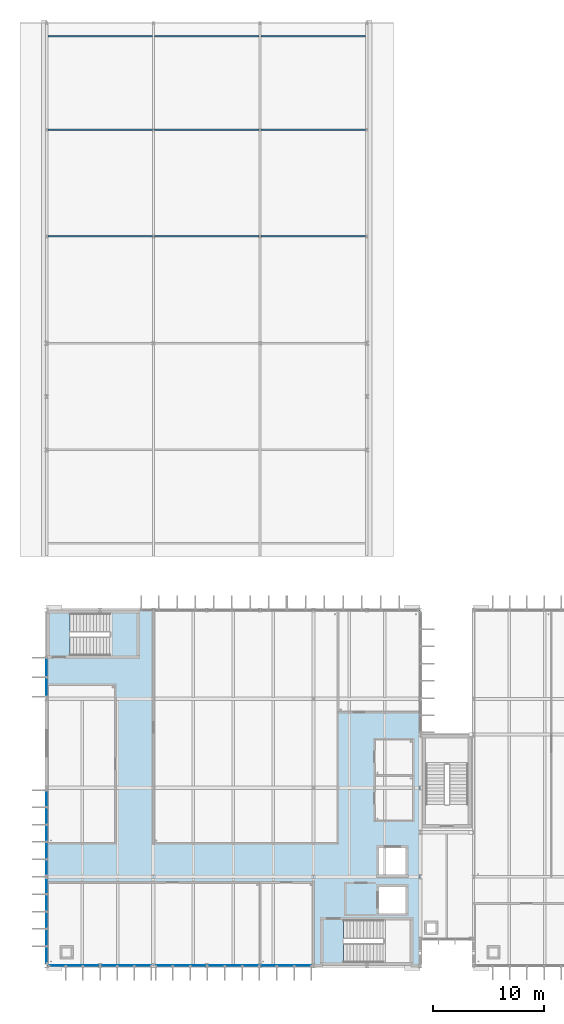
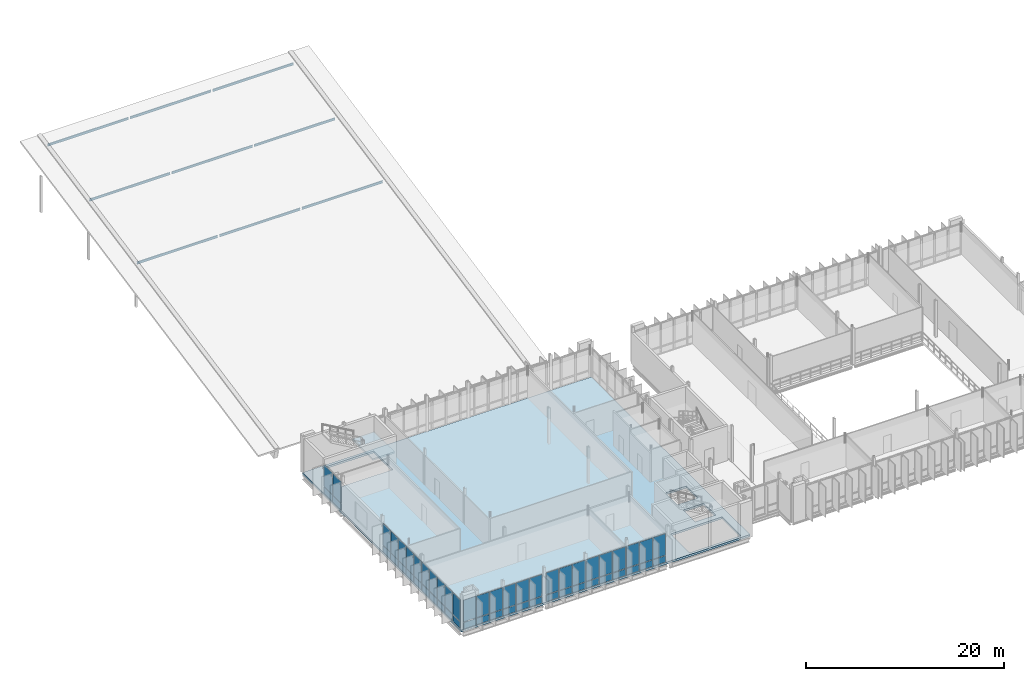
# One storey, part 27 of 59: 54 plates, 9 members, 2 slabs, 5 elements without a shape of their own.
"""IFC4 building model written with IfcOpenShell, lengths in metres."""

from ifc_helpers import new_model, si_unit, direction, frame, origin, origin_2d, place, context, subcontext, project, spatial, polyline, rectangle, i_section, outline, extrude, material, layer, layer_set, material_profile, profile_set, type_object, element, aggregate, save


model = new_model("IFC4")

# Units and contexts
model_context = context("Model", 3, precision=1e-05, world=origin(), true_north=direction((0.0, 1.0)))
body_context = subcontext(model_context, "Body", "Model", "MODEL_VIEW")
ifc_project = project(units=[si_unit("LENGTHUNIT", "METRE"), si_unit("AREAUNIT", "SQUARE_METRE"), si_unit("VOLUMEUNIT", "CUBIC_METRE"), si_unit("PLANEANGLEUNIT", "RADIAN"), si_unit("MASSUNIT", "GRAM", prefix="KILO")], contexts=[model_context])

# Site, building, storey
site_placement = place(None, origin())
site = spatial("IfcSite", under=ifc_project, at=site_placement, CompositionType="ELEMENT")
building_placement = place(site_placement, origin())
building = spatial("IfcBuilding", under=site, at=building_placement, Name="Dunescarp Central Library", CompositionType="ELEMENT")
storey_placement = place(building_placement, frame((0.0, 0.0, 18.60009765625)))
storey = spatial("IfcBuildingStorey", under=building, at=storey_placement, Name="L04", CompositionType="ELEMENT", Elevation=18.60009765625)

# Members
ifc_material_1 = material(Name="Steel S355JR", Category="steel")
ifc_material_profile = material_profile(ifc_material_1, i_section(OverallWidth=0.135009765625, OverallDepth=0.27001953125, WebThickness=0.006591796875, FlangeThickness=0.01025390625, at=origin_2d()), Name="IPE 270")
ifc_profile_set = profile_set([ifc_material_profile], Name="Steel S355JR")
member_type = type_object("IfcMemberType", Name="STR-PR-IPE270", PredefinedType="PURLIN", material=ifc_profile_set)
for number, where, z_axis, x_axis, name in (
    (1, (0.096923828125, 70.39990234375, 5.366943359375), (1.0, 0.0, 0.0), (0.0, 1.0, 0.0), "V4 roof purlin PR-V4-043"),
    (2, (9.697021484375, 70.39990234375, 5.366943359375), (1.0, 0.0, 0.0), (0.0, 1.0, 0.0), "V4 roof purlin PR-V4-044"),
):
    element("IfcMember", number, at=place(storey_placement, frame(where, z_axis=z_axis, x_axis=x_axis)), inside=storey, type_object=member_type, Name=name, PredefinedType="PURLIN", context=body_context, shape_type="SweptSolid", body=[
        extrude(i_section(OverallWidth=0.135009765625, OverallDepth=0.27001953125, WebThickness=0.006591796875, FlangeThickness=0.01025390625, at=origin_2d()), origin(), (0.0, 0.0, 1.0), 9.406005859375),
    ])
member_1_placement = place(storey_placement, frame((19.297119140625, 70.39990234375, 5.366943359375), z_axis=(1.0, 0.0, 0.0), x_axis=(0.0, 1.0, 0.0)))
element("IfcMember", 3, at=member_1_placement, inside=storey, type_object=member_type, Name="V4 roof purlin PR-V4-045", PredefinedType="PURLIN", context=body_context, shape_type="SweptSolid", body=[
    extrude(i_section(OverallWidth=0.135009765625, OverallDepth=0.27001953125, WebThickness=0.006591796875, FlangeThickness=0.01025390625, at=origin_2d()), origin(), (0.0, 0.0, 1.0), 9.40576171875),
])
for number, where, z_axis, x_axis, name in (
    (4, (0.096923828125, 80.0, 7.286865234375), (1.0, 0.0, 0.0), (0.0, 1.0, 0.0), "V4 roof purlin PR-V4-046"),
    (5, (9.697021484375, 80.0, 7.286865234375), (1.0, 0.0, 0.0), (0.0, 1.0, 0.0), "V4 roof purlin PR-V4-047"),
):
    element("IfcMember", number, at=place(storey_placement, frame(where, z_axis=z_axis, x_axis=x_axis)), inside=storey, type_object=member_type, Name=name, PredefinedType="PURLIN", context=body_context, shape_type="SweptSolid", body=[
        extrude(i_section(OverallWidth=0.135009765625, OverallDepth=0.27001953125, WebThickness=0.006591796875, FlangeThickness=0.01025390625, at=origin_2d()), origin(), (0.0, 0.0, 1.0), 9.406005859375),
    ])
member_2_placement = place(storey_placement, frame((19.297119140625, 80.0, 7.286865234375), z_axis=(1.0, 0.0, 0.0), x_axis=(0.0, 1.0, 0.0)))
element("IfcMember", 6, at=member_2_placement, inside=storey, type_object=member_type, Name="V4 roof purlin PR-V4-048", PredefinedType="PURLIN", context=body_context, shape_type="SweptSolid", body=[
    extrude(i_section(OverallWidth=0.135009765625, OverallDepth=0.27001953125, WebThickness=0.006591796875, FlangeThickness=0.01025390625, at=origin_2d()), origin(), (0.0, 0.0, 1.0), 9.40576171875),
])
for number, where, z_axis, x_axis, name in (
    (7, (0.096923828125, 88.39990234375, 8.966796875), (1.0, 0.0, 0.0), (0.0, 1.0, 0.0), "V4 roof purlin PR-V4-049"),
    (8, (9.697021484375, 88.39990234375, 8.966796875), (1.0, 0.0, 0.0), (0.0, 1.0, 0.0), "V4 roof purlin PR-V4-050"),
):
    element("IfcMember", number, at=place(storey_placement, frame(where, z_axis=z_axis, x_axis=x_axis)), inside=storey, type_object=member_type, Name=name, PredefinedType="PURLIN", context=body_context, shape_type="SweptSolid", body=[
        extrude(i_section(OverallWidth=0.135009765625, OverallDepth=0.27001953125, WebThickness=0.006591796875, FlangeThickness=0.01025390625, at=origin_2d()), origin(), (0.0, 0.0, 1.0), 9.406005859375),
    ])
member_3_placement = place(storey_placement, frame((19.297119140625, 88.39990234375, 8.966796875), z_axis=(1.0, 0.0, 0.0), x_axis=(0.0, 1.0, 0.0)))
element("IfcMember", 9, at=member_3_placement, inside=storey, type_object=member_type, Name="V4 roof purlin PR-V4-051", PredefinedType="PURLIN", context=body_context, shape_type="SweptSolid", body=[
    extrude(i_section(OverallWidth=0.135009765625, OverallDepth=0.27001953125, WebThickness=0.006591796875, FlangeThickness=0.01025390625, at=origin_2d()), origin(), (0.0, 0.0, 1.0), 9.40576171875),
])

# Curtain wall, plates
ifc_material_2 = material(Name="Marine-grade anodised aluminium 6063-T6", Category="aluminium")
curtain_wall_type = type_object("IfcCurtainWallType", Name="ARC-CW-STICK", PredefinedType="NOTDEFINED", material=ifc_material_2)
curtain_wall_1_placement = place(storey_placement, origin())
curtain_wall_1 = element("IfcCurtainWall", 10, at=curtain_wall_1_placement, inside=storey, type_object=curtain_wall_type, Name="L04 curtain wall CW-V1-024", PredefinedType="NOTDEFINED")
ifc_material_3 = material(Name="Solar-control laminated double glazing", Category="glass")
ifc_layer_1 = layer(ifc_material_3, 0.028076171875)
ifc_layer_set_1 = layer_set([ifc_layer_1], Name="Solar-control laminated double glazing")
plate_type_1 = type_object("IfcPlateType", Name="ARC-PLT-GLZ28", PredefinedType="CURTAIN_PANEL", material=ifc_layer_set_1)
plate_1_placement = place(storey_placement, frame((8.63427734375, 4.800048828125, 0.93994140625), z_axis=(0.0, 0.0, 1.0), x_axis=(-1.0, 0.0, 0.0)))
plate_1 = element("IfcPlate", 11, at=plate_1_placement, type_object=plate_type_1, Name="CW-V1-024 panel 1.2", PredefinedType="CURTAIN_PANEL", context=body_context, shape_type="SweptSolid", body=[
    extrude(rectangle(XDim=1.421630859375, YDim=0.028076171875, at=origin_2d()), origin(), (0.0, 0.0, 1.0), 2.64501953125),
])
plate_2_placement = place(storey_placement, frame((7.112548828125, 4.800048828125, 0.93994140625), z_axis=(0.0, 0.0, 1.0), x_axis=(-1.0, 0.0, 0.0)))
plate_2 = element("IfcPlate", 12, at=plate_2_placement, type_object=plate_type_1, Name="CW-V1-024 panel 2.2", PredefinedType="CURTAIN_PANEL", context=body_context, shape_type="SweptSolid", body=[
    extrude(rectangle(XDim=1.461669921875, YDim=0.028076171875, at=origin_2d()), origin(), (0.0, 0.0, 1.0), 2.64501953125),
])
plate_3_placement = place(storey_placement, frame((5.57080078125, 4.800048828125, 0.93994140625), z_axis=(0.0, 0.0, 1.0), x_axis=(-1.0, 0.0, 0.0)))
plate_3 = element("IfcPlate", 13, at=plate_3_placement, type_object=plate_type_1, Name="CW-V1-024 panel 3.2", PredefinedType="CURTAIN_PANEL", context=body_context, shape_type="SweptSolid", body=[
    extrude(rectangle(XDim=1.461669921875, YDim=0.028076171875, at=origin_2d()), origin(), (0.0, 0.0, 1.0), 2.64501953125),
])
plate_4_placement = place(storey_placement, frame((4.029052734375, 4.800048828125, 0.93994140625), z_axis=(0.0, 0.0, 1.0), x_axis=(-1.0, 0.0, 0.0)))
plate_4 = element("IfcPlate", 14, at=plate_4_placement, type_object=plate_type_1, Name="CW-V1-024 panel 4.2", PredefinedType="CURTAIN_PANEL", context=body_context, shape_type="SweptSolid", body=[
    extrude(rectangle(XDim=1.461669921875, YDim=0.028076171875, at=origin_2d()), origin(), (0.0, 0.0, 1.0), 2.64501953125),
])
plate_5_placement = place(storey_placement, frame((2.487548828125, 4.800048828125, 0.93994140625), z_axis=(0.0, 0.0, 1.0), x_axis=(-1.0, 0.0, 0.0)))
plate_5 = element("IfcPlate", 15, at=plate_5_placement, type_object=plate_type_1, Name="CW-V1-024 panel 5.2", PredefinedType="CURTAIN_PANEL", context=body_context, shape_type="SweptSolid", body=[
    extrude(rectangle(XDim=1.461669921875, YDim=0.028076171875, at=origin_2d()), origin(), (0.0, 0.0, 1.0), 2.64501953125),
])
plate_6_placement = place(storey_placement, frame((0.9658203125, 4.800048828125, 0.93994140625), z_axis=(0.0, 0.0, 1.0), x_axis=(-1.0, 0.0, 0.0)))
plate_6 = element("IfcPlate", 16, at=plate_6_placement, type_object=plate_type_1, Name="CW-V1-024 panel 6.2", PredefinedType="CURTAIN_PANEL", context=body_context, shape_type="SweptSolid", body=[
    extrude(rectangle(XDim=1.421630859375, YDim=0.028076171875, at=origin_2d()), origin(), (0.0, 0.0, 1.0), 2.64501953125),
])

curtain_wall_2_placement = place(storey_placement, origin())
curtain_wall_2 = element("IfcCurtainWall", 17, at=curtain_wall_2_placement, inside=storey, type_object=curtain_wall_type, Name="L04 curtain wall CW-V1-025", PredefinedType="NOTDEFINED")
plate_7_placement = place(storey_placement, frame((23.0244140625, 4.800048828125, 0.93994140625), z_axis=(0.0, 0.0, 1.0), x_axis=(-1.0, 0.0, 0.0)))
plate_7 = element("IfcPlate", 18, at=plate_7_placement, type_object=plate_type_1, Name="CW-V1-025 panel 1.2", PredefinedType="CURTAIN_PANEL", context=body_context, shape_type="SweptSolid", body=[
    extrude(rectangle(XDim=1.441162109375, YDim=0.028076171875, at=origin_2d()), origin(), (0.0, 0.0, 1.0), 2.64501953125),
])
plate_8_placement = place(storey_placement, frame((21.4833984375, 4.800048828125, 0.93994140625), z_axis=(0.0, 0.0, 1.0), x_axis=(-1.0, 0.0, 0.0)))
plate_8 = element("IfcPlate", 19, at=plate_8_placement, type_object=plate_type_1, Name="CW-V1-025 panel 2.2", PredefinedType="CURTAIN_PANEL", context=body_context, shape_type="SweptSolid", body=[
    extrude(rectangle(XDim=1.481201171875, YDim=0.028076171875, at=origin_2d()), origin(), (0.0, 0.0, 1.0), 2.64501953125),
])
plate_9_placement = place(storey_placement, frame((19.922119140625, 4.800048828125, 0.93994140625), z_axis=(0.0, 0.0, 1.0), x_axis=(-1.0, 0.0, 0.0)))
plate_9 = element("IfcPlate", 20, at=plate_9_placement, type_object=plate_type_1, Name="CW-V1-025 panel 3.2", PredefinedType="CURTAIN_PANEL", context=body_context, shape_type="SweptSolid", body=[
    extrude(rectangle(XDim=1.481201171875, YDim=0.028076171875, at=origin_2d()), origin(), (0.0, 0.0, 1.0), 2.64501953125),
])
plate_10_placement = place(storey_placement, frame((18.361083984375, 4.800048828125, 0.93994140625), z_axis=(0.0, 0.0, 1.0), x_axis=(-1.0, 0.0, 0.0)))
plate_10 = element("IfcPlate", 21, at=plate_10_placement, type_object=plate_type_1, Name="CW-V1-025 panel 4.2", PredefinedType="CURTAIN_PANEL", context=body_context, shape_type="SweptSolid", body=[
    extrude(rectangle(XDim=1.481201171875, YDim=0.028076171875, at=origin_2d()), origin(), (0.0, 0.0, 1.0), 2.64501953125),
])
plate_11_placement = place(storey_placement, frame((16.800048828125, 4.800048828125, 0.93994140625), z_axis=(0.0, 0.0, 1.0), x_axis=(-1.0, 0.0, 0.0)))
plate_11 = element("IfcPlate", 22, at=plate_11_placement, type_object=plate_type_1, Name="CW-V1-025 panel 5.2", PredefinedType="CURTAIN_PANEL", context=body_context, shape_type="SweptSolid", body=[
    extrude(rectangle(XDim=1.481201171875, YDim=0.028076171875, at=origin_2d()), origin(), (0.0, 0.0, 1.0), 2.64501953125),
])
plate_12_placement = place(storey_placement, frame((15.23876953125, 4.800048828125, 0.93994140625), z_axis=(0.0, 0.0, 1.0), x_axis=(-1.0, 0.0, 0.0)))
plate_12 = element("IfcPlate", 23, at=plate_12_placement, type_object=plate_type_1, Name="CW-V1-025 panel 6.2", PredefinedType="CURTAIN_PANEL", context=body_context, shape_type="SweptSolid", body=[
    extrude(rectangle(XDim=1.481201171875, YDim=0.028076171875, at=origin_2d()), origin(), (0.0, 0.0, 1.0), 2.64501953125),
])
plate_13_placement = place(storey_placement, frame((13.677734375, 4.800048828125, 0.93994140625), z_axis=(0.0, 0.0, 1.0), x_axis=(-1.0, 0.0, 0.0)))
plate_13 = element("IfcPlate", 24, at=plate_13_placement, type_object=plate_type_1, Name="CW-V1-025 panel 7.2", PredefinedType="CURTAIN_PANEL", context=body_context, shape_type="SweptSolid", body=[
    extrude(rectangle(XDim=1.481201171875, YDim=0.028076171875, at=origin_2d()), origin(), (0.0, 0.0, 1.0), 2.64501953125),
])
plate_14_placement = place(storey_placement, frame((12.11669921875, 4.800048828125, 0.93994140625), z_axis=(0.0, 0.0, 1.0), x_axis=(-1.0, 0.0, 0.0)))
plate_14 = element("IfcPlate", 25, at=plate_14_placement, type_object=plate_type_1, Name="CW-V1-025 panel 8.2", PredefinedType="CURTAIN_PANEL", context=body_context, shape_type="SweptSolid", body=[
    extrude(rectangle(XDim=1.481201171875, YDim=0.028076171875, at=origin_2d()), origin(), (0.0, 0.0, 1.0), 2.64501953125),
])
plate_15_placement = place(storey_placement, frame((10.575439453125, 4.800048828125, 0.93994140625), z_axis=(0.0, 0.0, 1.0), x_axis=(-1.0, 0.0, 0.0)))
plate_15 = element("IfcPlate", 26, at=plate_15_placement, type_object=plate_type_1, Name="CW-V1-025 panel 9.2", PredefinedType="CURTAIN_PANEL", context=body_context, shape_type="SweptSolid", body=[
    extrude(rectangle(XDim=1.441162109375, YDim=0.028076171875, at=origin_2d()), origin(), (0.0, 0.0, 1.0), 2.64501953125),
])

curtain_wall_3_placement = place(storey_placement, origin())
curtain_wall_3 = element("IfcCurtainWall", 27, at=curtain_wall_3_placement, inside=storey, type_object=curtain_wall_type, Name="L04 curtain wall CW-V1-028", PredefinedType="NOTDEFINED")
plate_16_placement = place(storey_placement, frame((0.0, 5.777587890625, 0.93994140625), z_axis=(0.0, 0.0, 1.0), x_axis=(0.0, 1.0, 0.0)))
plate_16 = element("IfcPlate", 28, at=plate_16_placement, type_object=plate_type_1, Name="CW-V1-028 panel 1.2", PredefinedType="CURTAIN_PANEL", context=body_context, shape_type="SweptSolid", body=[
    extrude(rectangle(XDim=1.445068359375, YDim=0.028076171875, at=origin_2d()), origin(), (0.0, 0.0, 1.0), 2.64501953125),
])
plate_17_placement = place(storey_placement, frame((0.0, 7.322509765625, 0.93994140625), z_axis=(0.0, 0.0, 1.0), x_axis=(0.0, 1.0, 0.0)))
plate_17 = element("IfcPlate", 29, at=plate_17_placement, type_object=plate_type_1, Name="CW-V1-028 panel 2.2", PredefinedType="CURTAIN_PANEL", context=body_context, shape_type="SweptSolid", body=[
    extrude(rectangle(XDim=1.485107421875, YDim=0.028076171875, at=origin_2d()), origin(), (0.0, 0.0, 1.0), 2.64501953125),
])
plate_18_placement = place(storey_placement, frame((0.0, 8.887451171875, 0.93994140625), z_axis=(0.0, 0.0, 1.0), x_axis=(0.0, 1.0, 0.0)))
plate_18 = element("IfcPlate", 30, at=plate_18_placement, type_object=plate_type_1, Name="CW-V1-028 panel 3.2", PredefinedType="CURTAIN_PANEL", context=body_context, shape_type="SweptSolid", body=[
    extrude(rectangle(XDim=1.485107421875, YDim=0.028076171875, at=origin_2d()), origin(), (0.0, 0.0, 1.0), 2.64501953125),
])
plate_19_placement = place(storey_placement, frame((0.0, 10.452392578125, 0.93994140625), z_axis=(0.0, 0.0, 1.0), x_axis=(0.0, 1.0, 0.0)))
plate_19 = element("IfcPlate", 31, at=plate_19_placement, type_object=plate_type_1, Name="CW-V1-028 panel 4.2", PredefinedType="CURTAIN_PANEL", context=body_context, shape_type="SweptSolid", body=[
    extrude(rectangle(XDim=1.485107421875, YDim=0.028076171875, at=origin_2d()), origin(), (0.0, 0.0, 1.0), 2.64501953125),
])
plate_20_placement = place(storey_placement, frame((0.0, 12.017578125, 0.93994140625), z_axis=(0.0, 0.0, 1.0), x_axis=(0.0, 1.0, 0.0)))
plate_20 = element("IfcPlate", 32, at=plate_20_placement, type_object=plate_type_1, Name="CW-V1-028 panel 5.2", PredefinedType="CURTAIN_PANEL", context=body_context, shape_type="SweptSolid", body=[
    extrude(rectangle(XDim=1.485107421875, YDim=0.028076171875, at=origin_2d()), origin(), (0.0, 0.0, 1.0), 2.64501953125),
])
plate_21_placement = place(storey_placement, frame((0.0, 13.58251953125, 0.93994140625), z_axis=(0.0, 0.0, 1.0), x_axis=(0.0, 1.0, 0.0)))
plate_21 = element("IfcPlate", 33, at=plate_21_placement, type_object=plate_type_1, Name="CW-V1-028 panel 6.2", PredefinedType="CURTAIN_PANEL", context=body_context, shape_type="SweptSolid", body=[
    extrude(rectangle(XDim=1.485107421875, YDim=0.028076171875, at=origin_2d()), origin(), (0.0, 0.0, 1.0), 2.64501953125),
])
plate_22_placement = place(storey_placement, frame((0.0, 15.1474609375, 0.93994140625), z_axis=(0.0, 0.0, 1.0), x_axis=(0.0, 1.0, 0.0)))
plate_22 = element("IfcPlate", 34, at=plate_22_placement, type_object=plate_type_1, Name="CW-V1-028 panel 7.2", PredefinedType="CURTAIN_PANEL", context=body_context, shape_type="SweptSolid", body=[
    extrude(rectangle(XDim=1.485107421875, YDim=0.028076171875, at=origin_2d()), origin(), (0.0, 0.0, 1.0), 2.64501953125),
])
plate_23_placement = place(storey_placement, frame((0.0, 16.71240234375, 0.93994140625), z_axis=(0.0, 0.0, 1.0), x_axis=(0.0, 1.0, 0.0)))
plate_23 = element("IfcPlate", 35, at=plate_23_placement, type_object=plate_type_1, Name="CW-V1-028 panel 8.2", PredefinedType="CURTAIN_PANEL", context=body_context, shape_type="SweptSolid", body=[
    extrude(rectangle(XDim=1.485107421875, YDim=0.028076171875, at=origin_2d()), origin(), (0.0, 0.0, 1.0), 2.64501953125),
])
plate_24_placement = place(storey_placement, frame((0.0, 18.277587890625, 0.93994140625), z_axis=(0.0, 0.0, 1.0), x_axis=(0.0, 1.0, 0.0)))
plate_24 = element("IfcPlate", 36, at=plate_24_placement, type_object=plate_type_1, Name="CW-V1-028 panel 9.2", PredefinedType="CURTAIN_PANEL", context=body_context, shape_type="SweptSolid", body=[
    extrude(rectangle(XDim=1.485107421875, YDim=0.028076171875, at=origin_2d()), origin(), (0.0, 0.0, 1.0), 2.64501953125),
])
plate_25_placement = place(storey_placement, frame((0.0, 19.822509765625, 0.93994140625), z_axis=(0.0, 0.0, 1.0), x_axis=(0.0, 1.0, 0.0)))
plate_25 = element("IfcPlate", 37, at=plate_25_placement, type_object=plate_type_1, Name="CW-V1-028 panel 10.2", PredefinedType="CURTAIN_PANEL", context=body_context, shape_type="SweptSolid", body=[
    extrude(rectangle(XDim=1.445068359375, YDim=0.028076171875, at=origin_2d()), origin(), (0.0, 0.0, 1.0), 2.64501953125),
])

curtain_wall_4_placement = place(storey_placement, origin())
curtain_wall_4 = element("IfcCurtainWall", 38, at=curtain_wall_4_placement, inside=storey, type_object=curtain_wall_type, Name="L04 curtain wall CW-V1-029", PredefinedType="NOTDEFINED")
plate_26_placement = place(storey_placement, frame((0.0, 29.888671875, 0.93994140625), z_axis=(0.0, 0.0, 1.0), x_axis=(0.0, 1.0, 0.0)))
plate_26 = element("IfcPlate", 39, at=plate_26_placement, type_object=plate_type_1, Name="CW-V1-029 panel 1.2", PredefinedType="CURTAIN_PANEL", context=body_context, shape_type="SweptSolid", body=[
    extrude(rectangle(XDim=1.66748046875, YDim=0.028076171875, at=origin_2d()), origin(), (0.0, 0.0, 1.0), 2.64501953125),
])
plate_27_placement = place(storey_placement, frame((0.0, 31.63623046875, 0.93994140625), z_axis=(0.0, 0.0, 1.0), x_axis=(0.0, 1.0, 0.0)))
plate_27 = element("IfcPlate", 40, at=plate_27_placement, type_object=plate_type_1, Name="CW-V1-029 panel 2.2", PredefinedType="CURTAIN_PANEL", context=body_context, shape_type="SweptSolid", body=[
    extrude(rectangle(XDim=1.66748046875, YDim=0.028076171875, at=origin_2d()), origin(), (0.0, 0.0, 1.0), 2.64501953125),
])

# Plate
ifc_layer_2 = layer(ifc_material_2, 0.050048828125)
ifc_layer_set_2 = layer_set([ifc_layer_2], Name="Marine-grade anodised aluminium 6063-T6")
plate_type_2 = type_object("IfcPlateType", Name="ARC-PLT-SPN50", PredefinedType="SHEET", material=ifc_layer_set_2)
plate_28_placement = place(storey_placement, frame((8.63427734375, 4.800048828125, 0.080078125), z_axis=(0.0, 0.0, 1.0), x_axis=(-1.0, 0.0, 0.0)))
plate_28 = element("IfcPlate", 41, at=plate_28_placement, type_object=plate_type_2, Name="CW-V1-024 panel 1.1", PredefinedType="SHEET", context=body_context, shape_type="SweptSolid", body=[
    extrude(rectangle(XDim=1.421630859375, YDim=0.050048828125, at=origin_2d()), origin(), (0.0, 0.0, 1.0), 0.780029296875),
])

plate_29_placement = place(storey_placement, frame((7.112548828125, 4.800048828125, 0.080078125), z_axis=(0.0, 0.0, 1.0), x_axis=(-1.0, 0.0, 0.0)))
plate_29 = element("IfcPlate", 42, at=plate_29_placement, type_object=plate_type_2, Name="CW-V1-024 panel 2.1", PredefinedType="SHEET", context=body_context, shape_type="SweptSolid", body=[
    extrude(rectangle(XDim=1.461669921875, YDim=0.050048828125, at=origin_2d()), origin(), (0.0, 0.0, 1.0), 0.780029296875),
])

plate_30_placement = place(storey_placement, frame((5.57080078125, 4.800048828125, 0.080078125), z_axis=(0.0, 0.0, 1.0), x_axis=(-1.0, 0.0, 0.0)))
plate_30 = element("IfcPlate", 43, at=plate_30_placement, type_object=plate_type_2, Name="CW-V1-024 panel 3.1", PredefinedType="SHEET", context=body_context, shape_type="SweptSolid", body=[
    extrude(rectangle(XDim=1.461669921875, YDim=0.050048828125, at=origin_2d()), origin(), (0.0, 0.0, 1.0), 0.780029296875),
])

plate_31_placement = place(storey_placement, frame((4.029052734375, 4.800048828125, 0.080078125), z_axis=(0.0, 0.0, 1.0), x_axis=(-1.0, 0.0, 0.0)))
plate_31 = element("IfcPlate", 44, at=plate_31_placement, type_object=plate_type_2, Name="CW-V1-024 panel 4.1", PredefinedType="SHEET", context=body_context, shape_type="SweptSolid", body=[
    extrude(rectangle(XDim=1.461669921875, YDim=0.050048828125, at=origin_2d()), origin(), (0.0, 0.0, 1.0), 0.780029296875),
])

plate_32_placement = place(storey_placement, frame((2.487548828125, 4.800048828125, 0.080078125), z_axis=(0.0, 0.0, 1.0), x_axis=(-1.0, 0.0, 0.0)))
plate_32 = element("IfcPlate", 45, at=plate_32_placement, type_object=plate_type_2, Name="CW-V1-024 panel 5.1", PredefinedType="SHEET", context=body_context, shape_type="SweptSolid", body=[
    extrude(rectangle(XDim=1.461669921875, YDim=0.050048828125, at=origin_2d()), origin(), (0.0, 0.0, 1.0), 0.780029296875),
])

plate_33_placement = place(storey_placement, frame((0.9658203125, 4.800048828125, 0.080078125), z_axis=(0.0, 0.0, 1.0), x_axis=(-1.0, 0.0, 0.0)))
plate_33 = element("IfcPlate", 46, at=plate_33_placement, type_object=plate_type_2, Name="CW-V1-024 panel 6.1", PredefinedType="SHEET", context=body_context, shape_type="SweptSolid", body=[
    extrude(rectangle(XDim=1.421630859375, YDim=0.050048828125, at=origin_2d()), origin(), (0.0, 0.0, 1.0), 0.780029296875),
])

aggregate(curtain_wall_1, [plate_28, plate_1, plate_29, plate_2, plate_30, plate_3, plate_31, plate_4, plate_32, plate_5, plate_33, plate_6])

plate_34_placement = place(storey_placement, frame((23.0244140625, 4.800048828125, 0.080078125), z_axis=(0.0, 0.0, 1.0), x_axis=(-1.0, 0.0, 0.0)))
plate_34 = element("IfcPlate", 47, at=plate_34_placement, type_object=plate_type_2, Name="CW-V1-025 panel 1.1", PredefinedType="SHEET", context=body_context, shape_type="SweptSolid", body=[
    extrude(rectangle(XDim=1.441162109375, YDim=0.050048828125, at=origin_2d()), origin(), (0.0, 0.0, 1.0), 0.780029296875),
])

plate_35_placement = place(storey_placement, frame((21.4833984375, 4.800048828125, 0.080078125), z_axis=(0.0, 0.0, 1.0), x_axis=(-1.0, 0.0, 0.0)))
plate_35 = element("IfcPlate", 48, at=plate_35_placement, type_object=plate_type_2, Name="CW-V1-025 panel 2.1", PredefinedType="SHEET", context=body_context, shape_type="SweptSolid", body=[
    extrude(rectangle(XDim=1.481201171875, YDim=0.050048828125, at=origin_2d()), origin(), (0.0, 0.0, 1.0), 0.780029296875),
])

plate_36_placement = place(storey_placement, frame((19.922119140625, 4.800048828125, 0.080078125), z_axis=(0.0, 0.0, 1.0), x_axis=(-1.0, 0.0, 0.0)))
plate_36 = element("IfcPlate", 49, at=plate_36_placement, type_object=plate_type_2, Name="CW-V1-025 panel 3.1", PredefinedType="SHEET", context=body_context, shape_type="SweptSolid", body=[
    extrude(rectangle(XDim=1.481201171875, YDim=0.050048828125, at=origin_2d()), origin(), (0.0, 0.0, 1.0), 0.780029296875),
])

plate_37_placement = place(storey_placement, frame((18.361083984375, 4.800048828125, 0.080078125), z_axis=(0.0, 0.0, 1.0), x_axis=(-1.0, 0.0, 0.0)))
plate_37 = element("IfcPlate", 50, at=plate_37_placement, type_object=plate_type_2, Name="CW-V1-025 panel 4.1", PredefinedType="SHEET", context=body_context, shape_type="SweptSolid", body=[
    extrude(rectangle(XDim=1.481201171875, YDim=0.050048828125, at=origin_2d()), origin(), (0.0, 0.0, 1.0), 0.780029296875),
])

plate_38_placement = place(storey_placement, frame((16.800048828125, 4.800048828125, 0.080078125), z_axis=(0.0, 0.0, 1.0), x_axis=(-1.0, 0.0, 0.0)))
plate_38 = element("IfcPlate", 51, at=plate_38_placement, type_object=plate_type_2, Name="CW-V1-025 panel 5.1", PredefinedType="SHEET", context=body_context, shape_type="SweptSolid", body=[
    extrude(rectangle(XDim=1.481201171875, YDim=0.050048828125, at=origin_2d()), origin(), (0.0, 0.0, 1.0), 0.780029296875),
])

plate_39_placement = place(storey_placement, frame((15.23876953125, 4.800048828125, 0.080078125), z_axis=(0.0, 0.0, 1.0), x_axis=(-1.0, 0.0, 0.0)))
plate_39 = element("IfcPlate", 52, at=plate_39_placement, type_object=plate_type_2, Name="CW-V1-025 panel 6.1", PredefinedType="SHEET", context=body_context, shape_type="SweptSolid", body=[
    extrude(rectangle(XDim=1.481201171875, YDim=0.050048828125, at=origin_2d()), origin(), (0.0, 0.0, 1.0), 0.780029296875),
])

plate_40_placement = place(storey_placement, frame((13.677734375, 4.800048828125, 0.080078125), z_axis=(0.0, 0.0, 1.0), x_axis=(-1.0, 0.0, 0.0)))
plate_40 = element("IfcPlate", 53, at=plate_40_placement, type_object=plate_type_2, Name="CW-V1-025 panel 7.1", PredefinedType="SHEET", context=body_context, shape_type="SweptSolid", body=[
    extrude(rectangle(XDim=1.481201171875, YDim=0.050048828125, at=origin_2d()), origin(), (0.0, 0.0, 1.0), 0.780029296875),
])

plate_41_placement = place(storey_placement, frame((12.11669921875, 4.800048828125, 0.080078125), z_axis=(0.0, 0.0, 1.0), x_axis=(-1.0, 0.0, 0.0)))
plate_41 = element("IfcPlate", 54, at=plate_41_placement, type_object=plate_type_2, Name="CW-V1-025 panel 8.1", PredefinedType="SHEET", context=body_context, shape_type="SweptSolid", body=[
    extrude(rectangle(XDim=1.481201171875, YDim=0.050048828125, at=origin_2d()), origin(), (0.0, 0.0, 1.0), 0.780029296875),
])

plate_42_placement = place(storey_placement, frame((10.575439453125, 4.800048828125, 0.080078125), z_axis=(0.0, 0.0, 1.0), x_axis=(-1.0, 0.0, 0.0)))
plate_42 = element("IfcPlate", 55, at=plate_42_placement, type_object=plate_type_2, Name="CW-V1-025 panel 9.1", PredefinedType="SHEET", context=body_context, shape_type="SweptSolid", body=[
    extrude(rectangle(XDim=1.441162109375, YDim=0.050048828125, at=origin_2d()), origin(), (0.0, 0.0, 1.0), 0.780029296875),
])

aggregate(curtain_wall_2, [plate_34, plate_7, plate_35, plate_8, plate_36, plate_9, plate_37, plate_10, plate_38, plate_11, plate_39, plate_12, plate_40, plate_13, plate_41, plate_14, plate_42, plate_15])

plate_43_placement = place(storey_placement, frame((0.0, 5.777587890625, 0.080078125), z_axis=(0.0, 0.0, 1.0), x_axis=(0.0, 1.0, 0.0)))
plate_43 = element("IfcPlate", 56, at=plate_43_placement, type_object=plate_type_2, Name="CW-V1-028 panel 1.1", PredefinedType="SHEET", context=body_context, shape_type="SweptSolid", body=[
    extrude(rectangle(XDim=1.445068359375, YDim=0.050048828125, at=origin_2d()), origin(), (0.0, 0.0, 1.0), 0.780029296875),
])

plate_44_placement = place(storey_placement, frame((0.0, 7.322509765625, 0.080078125), z_axis=(0.0, 0.0, 1.0), x_axis=(0.0, 1.0, 0.0)))
plate_44 = element("IfcPlate", 57, at=plate_44_placement, type_object=plate_type_2, Name="CW-V1-028 panel 2.1", PredefinedType="SHEET", context=body_context, shape_type="SweptSolid", body=[
    extrude(rectangle(XDim=1.485107421875, YDim=0.050048828125, at=origin_2d()), origin(), (0.0, 0.0, 1.0), 0.780029296875),
])

plate_45_placement = place(storey_placement, frame((0.0, 8.887451171875, 0.080078125), z_axis=(0.0, 0.0, 1.0), x_axis=(0.0, 1.0, 0.0)))
plate_45 = element("IfcPlate", 58, at=plate_45_placement, type_object=plate_type_2, Name="CW-V1-028 panel 3.1", PredefinedType="SHEET", context=body_context, shape_type="SweptSolid", body=[
    extrude(rectangle(XDim=1.485107421875, YDim=0.050048828125, at=origin_2d()), origin(), (0.0, 0.0, 1.0), 0.780029296875),
])

plate_46_placement = place(storey_placement, frame((0.0, 10.452392578125, 0.080078125), z_axis=(0.0, 0.0, 1.0), x_axis=(0.0, 1.0, 0.0)))
plate_46 = element("IfcPlate", 59, at=plate_46_placement, type_object=plate_type_2, Name="CW-V1-028 panel 4.1", PredefinedType="SHEET", context=body_context, shape_type="SweptSolid", body=[
    extrude(rectangle(XDim=1.485107421875, YDim=0.050048828125, at=origin_2d()), origin(), (0.0, 0.0, 1.0), 0.780029296875),
])

plate_47_placement = place(storey_placement, frame((0.0, 12.017578125, 0.080078125), z_axis=(0.0, 0.0, 1.0), x_axis=(0.0, 1.0, 0.0)))
plate_47 = element("IfcPlate", 60, at=plate_47_placement, type_object=plate_type_2, Name="CW-V1-028 panel 5.1", PredefinedType="SHEET", context=body_context, shape_type="SweptSolid", body=[
    extrude(rectangle(XDim=1.485107421875, YDim=0.050048828125, at=origin_2d()), origin(), (0.0, 0.0, 1.0), 0.780029296875),
])

plate_48_placement = place(storey_placement, frame((0.0, 13.58251953125, 0.080078125), z_axis=(0.0, 0.0, 1.0), x_axis=(0.0, 1.0, 0.0)))
plate_48 = element("IfcPlate", 61, at=plate_48_placement, type_object=plate_type_2, Name="CW-V1-028 panel 6.1", PredefinedType="SHEET", context=body_context, shape_type="SweptSolid", body=[
    extrude(rectangle(XDim=1.485107421875, YDim=0.050048828125, at=origin_2d()), origin(), (0.0, 0.0, 1.0), 0.780029296875),
])

plate_49_placement = place(storey_placement, frame((0.0, 15.1474609375, 0.080078125), z_axis=(0.0, 0.0, 1.0), x_axis=(0.0, 1.0, 0.0)))
plate_49 = element("IfcPlate", 62, at=plate_49_placement, type_object=plate_type_2, Name="CW-V1-028 panel 7.1", PredefinedType="SHEET", context=body_context, shape_type="SweptSolid", body=[
    extrude(rectangle(XDim=1.485107421875, YDim=0.050048828125, at=origin_2d()), origin(), (0.0, 0.0, 1.0), 0.780029296875),
])

plate_50_placement = place(storey_placement, frame((0.0, 16.71240234375, 0.080078125), z_axis=(0.0, 0.0, 1.0), x_axis=(0.0, 1.0, 0.0)))
plate_50 = element("IfcPlate", 63, at=plate_50_placement, type_object=plate_type_2, Name="CW-V1-028 panel 8.1", PredefinedType="SHEET", context=body_context, shape_type="SweptSolid", body=[
    extrude(rectangle(XDim=1.485107421875, YDim=0.050048828125, at=origin_2d()), origin(), (0.0, 0.0, 1.0), 0.780029296875),
])

plate_51_placement = place(storey_placement, frame((0.0, 18.277587890625, 0.080078125), z_axis=(0.0, 0.0, 1.0), x_axis=(0.0, 1.0, 0.0)))
plate_51 = element("IfcPlate", 64, at=plate_51_placement, type_object=plate_type_2, Name="CW-V1-028 panel 9.1", PredefinedType="SHEET", context=body_context, shape_type="SweptSolid", body=[
    extrude(rectangle(XDim=1.485107421875, YDim=0.050048828125, at=origin_2d()), origin(), (0.0, 0.0, 1.0), 0.780029296875),
])

plate_52_placement = place(storey_placement, frame((0.0, 19.822509765625, 0.080078125), z_axis=(0.0, 0.0, 1.0), x_axis=(0.0, 1.0, 0.0)))
plate_52 = element("IfcPlate", 65, at=plate_52_placement, type_object=plate_type_2, Name="CW-V1-028 panel 10.1", PredefinedType="SHEET", context=body_context, shape_type="SweptSolid", body=[
    extrude(rectangle(XDim=1.445068359375, YDim=0.050048828125, at=origin_2d()), origin(), (0.0, 0.0, 1.0), 0.780029296875),
])

aggregate(curtain_wall_3, [plate_43, plate_16, plate_44, plate_17, plate_45, plate_18, plate_46, plate_19, plate_47, plate_20, plate_48, plate_21, plate_49, plate_22, plate_50, plate_23, plate_51, plate_24, plate_52, plate_25])

plate_53_placement = place(storey_placement, frame((0.0, 29.888671875, 0.080078125), z_axis=(0.0, 0.0, 1.0), x_axis=(0.0, 1.0, 0.0)))
plate_53 = element("IfcPlate", 66, at=plate_53_placement, type_object=plate_type_2, Name="CW-V1-029 panel 1.1", PredefinedType="SHEET", context=body_context, shape_type="SweptSolid", body=[
    extrude(rectangle(XDim=1.66748046875, YDim=0.050048828125, at=origin_2d()), origin(), (0.0, 0.0, 1.0), 0.780029296875),
])

plate_54_placement = place(storey_placement, frame((0.0, 31.63623046875, 0.080078125), z_axis=(0.0, 0.0, 1.0), x_axis=(0.0, 1.0, 0.0)))
plate_54 = element("IfcPlate", 67, at=plate_54_placement, type_object=plate_type_2, Name="CW-V1-029 panel 2.1", PredefinedType="SHEET", context=body_context, shape_type="SweptSolid", body=[
    extrude(rectangle(XDim=1.66748046875, YDim=0.050048828125, at=origin_2d()), origin(), (0.0, 0.0, 1.0), 0.780029296875),
])

aggregate(curtain_wall_4, [plate_53, plate_26, plate_54, plate_27])

# Stair, slab
ifc_material_4 = material(Name="Concrete C35/45", Category="concrete")
stair_type = type_object("IfcStairType", Name="ARC-STR-TYP", PredefinedType="HALF_TURN_STAIR", material=ifc_material_4)
stair_placement = place(storey_placement, origin())
stair = element("IfcStair", 68, at=stair_placement, inside=storey, type_object=stair_type, Name="L04 Protected escape stair ST-6", PredefinedType="HALF_TURN_STAIR")
ifc_layer_3 = layer(ifc_material_4, 0.199951171875)
ifc_layer_set_3 = layer_set([ifc_layer_3], Name="Concrete C35/45")
slab_type_1 = type_object("IfcSlabType", Name="STR-SLB-LAND200", PredefinedType="LANDING", material=ifc_layer_set_3)
slab_1_placement = place(storey_placement, frame((0.0, 0.0, 2.0498046875)))
slab_1 = element("IfcSlab", 69, at=slab_1_placement, type_object=slab_type_1, Name="ST-6 landing 1", PredefinedType="LANDING", context=body_context, shape_type="SweptSolid", body=[
    extrude(outline(polyline([(5.68505859375, 32.550048828125), (8.25, 32.550048828125), (8.25, 36.64990234375), (5.68505859375, 36.64990234375), (5.68505859375, 32.550048828125)])), origin(), (0.0, 0.0, 1.0), 0.2001953125),
])
aggregate(stair, [slab_1])

# Slab
ifc_layer_4 = layer(ifc_material_4, 0.25)
ifc_layer_set_4 = layer_set([ifc_layer_4], Name="Concrete C35/45")
slab_type_2 = type_object("IfcSlabType", Name="STR-SLB-VAULT250", PredefinedType="FLOOR", material=ifc_layer_set_4)
slab_2_placement = place(storey_placement, frame((0.0, 0.0, -0.25)))
element("IfcSlab", 70, at=slab_2_placement, inside=storey, type_object=slab_type_2, Name="L04 V1 slab", PredefinedType="FLOOR", context=body_context, shape_type="SweptSolid", body=[
    extrude(outline(polyline([(0.0, 4.800048828125), (33.60009765625, 4.800048828125), (33.60009765625, 36.800048828125), (0.0, 36.800048828125), (0.0, 4.800048828125)]), holes=[polyline([(26.715087890625, 5.10009765625), (32.699951171875, 5.10009765625), (32.699951171875, 8.89990234375), (26.715087890625, 8.89990234375), (26.715087890625, 5.10009765625)]), polyline([(2.114990234375, 32.699951171875), (8.10009765625, 32.699951171875), (8.10009765625, 36.5), (2.114990234375, 36.5), (2.114990234375, 32.699951171875)]), polyline([(29.89990234375, 9.5), (32.300048828125, 9.5), (32.300048828125, 11.89990234375), (29.89990234375, 11.89990234375), (29.89990234375, 9.5)]), polyline([(29.89990234375, 13.0), (32.300048828125, 13.0), (32.300048828125, 15.39990234375), (29.89990234375, 15.39990234375), (29.89990234375, 13.0)]), polyline([(1.39990234375, 5.60009765625), (2.199951171875, 5.60009765625), (2.199951171875, 6.39990234375), (1.39990234375, 6.39990234375), (1.39990234375, 5.60009765625)])]), origin(), (0.0, 0.0, 1.0), 0.25),
])

save(model, "model.ifc")
